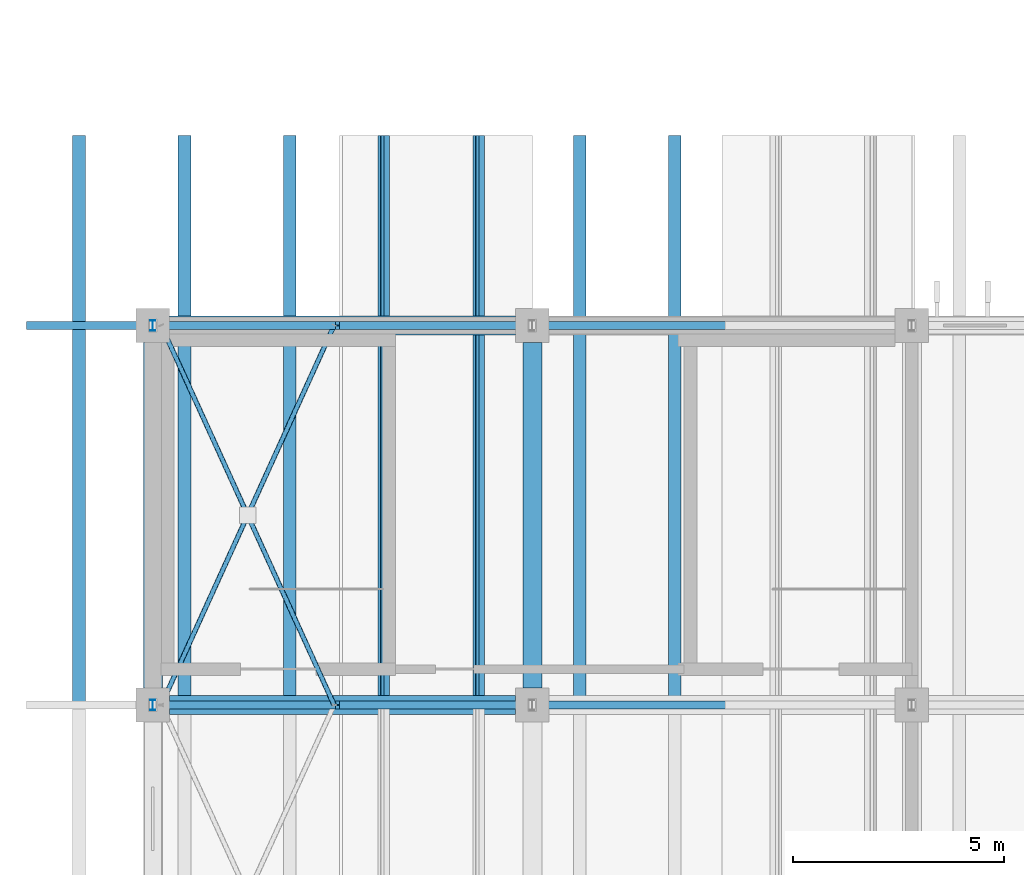
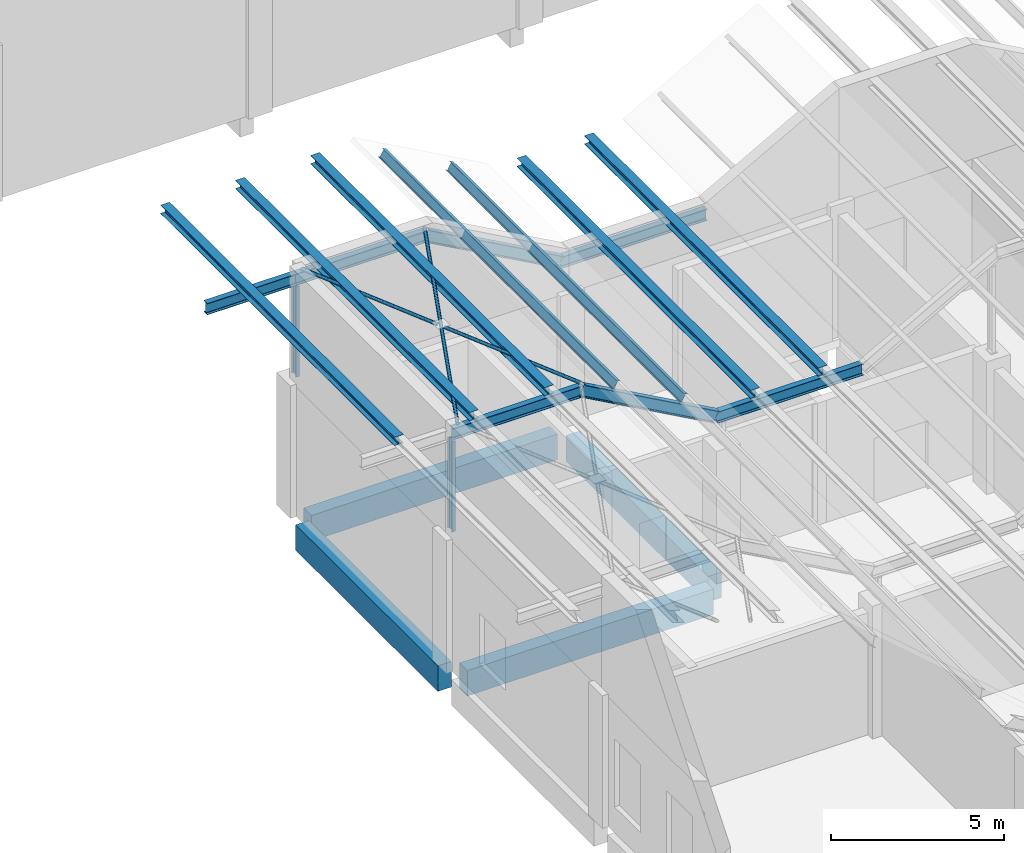
# One storey, part 58 of 437: 19 members, 4 beams.
"""IFC4 building model written with IfcOpenShell, lengths in metres."""

from ifc_helpers import new_model, si_unit, direction, frame, origin, origin_2d, place, context, subcontext, project, spatial, rectangle, hollow_circle, i_section, extrude, material, material_profile, profile_set, type_object, element, save


model = new_model("IFC4")

# Units and contexts
model_context = context("Model", 3, precision=1e-05, world=origin(), true_north=direction((0.0, 1.0)))
body_context = subcontext(model_context, "Body", "Model", "MODEL_VIEW")
ifc_project = project(units=[si_unit("LENGTHUNIT", "METRE"), si_unit("AREAUNIT", "SQUARE_METRE"), si_unit("VOLUMEUNIT", "CUBIC_METRE"), si_unit("PLANEANGLEUNIT", "RADIAN"), si_unit("MASSUNIT", "GRAM", prefix="KILO")], contexts=[model_context])

# Site, building, storey
site_placement = place(None, origin())
site = spatial("IfcSite", under=ifc_project, at=site_placement, CompositionType="ELEMENT")
building_placement = place(site_placement, origin())
building = spatial("IfcBuilding", under=site, at=building_placement, Name="Opaline Strait Convention Centre", CompositionType="ELEMENT")
storey_placement = place(building_placement, frame((0.0, 0.0, 11.5)))
storey = spatial("IfcBuildingStorey", under=building, at=storey_placement, Name="L02", CompositionType="ELEMENT", Elevation=11.5)

# Members
ifc_material_1 = material(Name="Steel Q355B", Category="steel")
ifc_material_profile_1 = material_profile(ifc_material_1, i_section(OverallWidth=0.300048828125, OverallDepth=0.300048828125, WebThickness=0.010009765625, FlangeThickness=0.014892578125, FilletRadius=0.012939453125, at=origin_2d()), Name="HW 300x300x10x15")
ifc_profile_set_1 = profile_set([ifc_material_profile_1], Name="Steel Q355B")
member_type_1 = type_object("IfcMemberType", Name="Crest purlin HW 300x300x10x15", PredefinedType="PURLIN", material=ifc_profile_set_1)
for number, where, z_axis, x_axis, name in (
    (1, (7.25, 90.0, 8.449951171875), (0.0, 1.0, 0.0), (-1.0, 0.0, 0.0), "RU1 purlin facet 1 line 1"),
    (2, (9.75, 90.0, 8.449951171875), (0.0, 1.0, 0.0), (-1.0, 0.0, 0.0), "RU1 purlin facet 1 line 2"),
    (3, (12.25, 90.0, 8.449951171875), (0.0, 1.0, 0.0), (-1.0, 0.0, 0.0), "RU1 purlin facet 1 line 3"),
    (4, (19.125, 90.0, 5.949951171875), (0.0, 1.0, 0.0), (-1.0, 0.0, 0.0), "RU1 purlin facet 3 line 1"),
    (5, (21.375, 90.0, 5.949951171875), (0.0, 1.0, 0.0), (-1.0, 0.0, 0.0), "RU1 purlin facet 3 line 2"),
):
    element("IfcMember", number, at=place(storey_placement, frame(where, z_axis=z_axis, x_axis=x_axis)), inside=storey, type_object=member_type_1, Name=name, PredefinedType="PURLIN", context=body_context, shape_type="SweptSolid", body=[
        extrude(i_section(OverallWidth=0.300048828125, OverallDepth=0.300048828125, WebThickness=0.010009765625, FlangeThickness=0.014892578125, FilletRadius=0.012939453125, at=origin_2d()), origin(), (0.0, 0.0, 1.0), 13.5),
    ])

# Beams
ifc_material_2 = material(Name="Concrete C35", Category="concrete")
ifc_material_profile_2 = material_profile(ifc_material_2, rectangle(XDim=0.449951171875, YDim=0.89990234375, at=origin_2d()), Name="RC 450x900")
ifc_profile_set_2 = profile_set([ifc_material_profile_2], Name="Concrete C35")
beam_type = type_object("IfcBeamType", Name="RC beam 450x900 C35", PredefinedType="BEAM", material=ifc_profile_set_2)
for number, where, z_axis, x_axis, name in (
    (6, (9.39990234375, 90.0, -0.72998046875), (1.0, 0.0, 0.0), (0.0, 1.0, 0.0), "XB1 L02 9/90-18/90"),
    (7, (9.39990234375, 99.0, -0.72998046875), (1.0, 0.0, 0.0), (0.0, 1.0, 0.0), "XB1 L02 9/99-18/99"),
    (8, (9.0, 90.39990234375, -0.72998046875), (0.0, 1.0, 0.0), (-1.0, 0.0, 0.0), "XB1 L02 9/90-9/99"),
    (9, (18.0, 90.39990234375, -0.72998046875), (0.0, 1.0, 0.0), (-1.0, 0.0, 0.0), "XB1 L02 18/90-18/99"),
):
    element("IfcBeam", number, at=place(storey_placement, frame(where, z_axis=z_axis, x_axis=x_axis)), inside=storey, type_object=beam_type, Name=name, PredefinedType="BEAM", context=body_context, shape_type="SweptSolid", body=[
        extrude(rectangle(XDim=0.449951171875, YDim=0.89990234375, at=origin_2d()), origin(), (0.0, 0.0, 1.0), 8.2001953125),
    ])

# Members
ifc_material_profile_3 = material_profile(ifc_material_1, hollow_circle(Radius=0.056884765625, WallThickness=0.006103515625, at=origin_2d()), Name="CHS 114x6")
ifc_profile_set_3 = profile_set([ifc_material_profile_3], Name="Steel Q355B")
member_type_2 = type_object("IfcMemberType", Name="Roof bracing CHS 114x6", PredefinedType="BRACE", material=ifc_profile_set_3)
member_1_placement = place(storey_placement, frame((9.199951171875, 90.0, 8.35693359375), z_axis=(0.414572789354, 0.910016154981, 0.0), x_axis=(-0.910016154981, 0.414572789354, 0.0)))
element("IfcMember", 10, at=member_1_placement, inside=storey, type_object=member_type_2, Name="RX1 roof brace bay 10 at 9", PredefinedType="BRACE", context=body_context, shape_type="SweptSolid", body=[
    extrude(hollow_circle(Radius=0.056884765625, WallThickness=0.006103515625, at=origin_2d()), origin(), (0.0, 0.0, 1.0), 9.889892578125),
])
for number, where, z_axis, x_axis, name in (
    (11, (13.300048828125, 90.0, 8.35693359375), (-0.414570207506, 0.91001733118, 0.0), (-0.91001733118, -0.414570207506, 0.0), "RX1 roof brace bay 10 at 9"),
    (12, (11.197265625, 94.61572265625, 8.35693359375), (-0.414570207506, 0.91001733118, 0.0), (-0.91001733118, -0.414570207506, 0.0), "RX1 roof brace bay 10 at 9"),
):
    element("IfcMember", number, at=place(storey_placement, frame(where, z_axis=z_axis, x_axis=x_axis)), inside=storey, type_object=member_type_2, Name=name, PredefinedType="BRACE", context=body_context, shape_type="SweptSolid", body=[
        extrude(hollow_circle(Radius=0.056884765625, WallThickness=0.006103515625, at=origin_2d()), origin(), (0.0, 0.0, 1.0), 4.81787109375),
    ])
ifc_material_profile_4 = material_profile(ifc_material_1, i_section(OverallWidth=0.125, OverallDepth=0.25, WebThickness=0.006103515625, FlangeThickness=0.009033203125, FilletRadius=0.008056640625, at=origin_2d()), Name="HN 250x125x6x9")
ifc_profile_set_4 = profile_set([ifc_material_profile_4], Name="Steel Q355B")
member_type_3 = type_object("IfcMemberType", Name="Roof post HN 250x125x6x9", PredefinedType="STRUT", material=ifc_profile_set_4)
for number, where, z_axis, x_axis, name in (
    (13, (9.0, 90.0, 4.68994140625), (0.0, 0.0, 1.0), (1.0, 0.0, 0.0), "RP1 roof post at 9/90"),
    (14, (9.0, 99.0, 4.68994140625), (0.0, 0.0, 1.0), (1.0, 0.0, 0.0), "RP1 roof post at 9/99"),
):
    element("IfcMember", number, at=place(storey_placement, frame(where, z_axis=z_axis, x_axis=x_axis)), inside=storey, type_object=member_type_3, Name=name, PredefinedType="STRUT", context=body_context, shape_type="SweptSolid", body=[
        extrude(i_section(OverallWidth=0.125, OverallDepth=0.25, WebThickness=0.006103515625, FlangeThickness=0.009033203125, FilletRadius=0.008056640625, at=origin_2d()), origin(), (0.0, 0.0, 1.0), 3.195068359375),
    ])
ifc_material_profile_5 = material_profile(ifc_material_1, i_section(OverallWidth=0.14990234375, OverallDepth=0.300048828125, WebThickness=0.006591796875, FlangeThickness=0.009033203125, FilletRadius=0.012939453125, at=origin_2d()), Name="HN 300x150x6.5x9")
ifc_profile_set_5 = profile_set([ifc_material_profile_5], Name="Steel Q355B")
member_type_4 = type_object("IfcMemberType", Name="Roof purlin HN 300x150x6.5x9", PredefinedType="PURLIN", material=ifc_profile_set_5)
for number, where, z_axis, x_axis, name in (
    (15, (14.479248046875, 90.0, 7.86279296875), (0.0, 1.0, 0.0), (-0.874157310866, 0.0, 0.485642868639), "RU1 purlin facet 2 line 1"),
    (16, (16.729248046875, 90.0, 6.61279296875), (0.0, 1.0, 0.0), (-0.874157310866, 0.0, 0.485642868639), "RU1 purlin facet 2 line 2"),
):
    element("IfcMember", number, at=place(storey_placement, frame(where, z_axis=z_axis, x_axis=x_axis)), inside=storey, type_object=member_type_4, Name=name, PredefinedType="PURLIN", context=body_context, shape_type="SweptSolid", body=[
        extrude(i_section(OverallWidth=0.14990234375, OverallDepth=0.300048828125, WebThickness=0.006591796875, FlangeThickness=0.009033203125, FilletRadius=0.012939453125, at=origin_2d()), origin(), (0.0, 0.0, 1.0), 13.5),
    ])
ifc_material_profile_6 = material_profile(ifc_material_1, i_section(OverallWidth=0.199951171875, OverallDepth=0.39990234375, WebThickness=0.008056640625, FlangeThickness=0.012939453125, FilletRadius=0.012939453125, at=origin_2d()), Name="HN 400x200x8x13")
ifc_profile_set_6 = profile_set([ifc_material_profile_6], Name="Steel Q355B")
member_type_5 = type_object("IfcMemberType", Name="Roof rafter HN 400x200x8x13", PredefinedType="RAFTER", material=ifc_profile_set_6)
member_2_placement = place(storey_placement, frame((9.0, 90.0, 8.10009765625), z_axis=(1.0, 0.0, 0.0), x_axis=(0.0, 1.0, 0.0)))
element("IfcMember", 17, at=member_2_placement, inside=storey, type_object=member_type_5, Name="RR1 rafter line 10 facet 2", PredefinedType="RAFTER", context=body_context, shape_type="SweptSolid", body=[
    extrude(i_section(OverallWidth=0.199951171875, OverallDepth=0.39990234375, WebThickness=0.008056640625, FlangeThickness=0.012939453125, FilletRadius=0.012939453125, at=origin_2d()), origin(), (0.0, 0.0, 1.0), 4.33154296875),
])
member_3_placement = place(storey_placement, frame((13.33154296875, 90.0, 8.10009765625), z_axis=(0.874157276122, 0.0, -0.485642931179), x_axis=(0.0, 1.0, 0.0)))
element("IfcMember", 18, at=member_3_placement, inside=storey, type_object=member_type_5, Name="RR1 rafter line 10 facet 3", PredefinedType="RAFTER", context=body_context, shape_type="SweptSolid", body=[
    extrude(i_section(OverallWidth=0.199951171875, OverallDepth=0.39990234375, WebThickness=0.008056640625, FlangeThickness=0.012939453125, FilletRadius=0.012939453125, at=origin_2d()), origin(), (0.0, 0.0, 1.0), 5.147705078125),
])
member_4_placement = place(storey_placement, frame((17.83154296875, 90.0, 5.60009765625), z_axis=(1.0, 0.0, 0.0), x_axis=(0.0, 1.0, 0.0)))
element("IfcMember", 19, at=member_4_placement, inside=storey, type_object=member_type_5, Name="RR1 rafter line 10 facet 4", PredefinedType="RAFTER", context=body_context, shape_type="SweptSolid", body=[
    extrude(i_section(OverallWidth=0.199951171875, OverallDepth=0.39990234375, WebThickness=0.008056640625, FlangeThickness=0.012939453125, FilletRadius=0.012939453125, at=origin_2d()), origin(), (0.0, 0.0, 1.0), 4.8369140625),
])
member_5_placement = place(storey_placement, frame((6.0, 99.0, 8.10009765625), z_axis=(1.0, 0.0, 0.0), x_axis=(0.0, 1.0, 0.0)))
element("IfcMember", 20, at=member_5_placement, inside=storey, type_object=member_type_5, Name="RR1 rafter line 11 facet 1", PredefinedType="RAFTER", context=body_context, shape_type="SweptSolid", body=[
    extrude(i_section(OverallWidth=0.199951171875, OverallDepth=0.39990234375, WebThickness=0.008056640625, FlangeThickness=0.012939453125, FilletRadius=0.012939453125, at=origin_2d()), origin(), (0.0, 0.0, 1.0), 3.0),
])
member_6_placement = place(storey_placement, frame((9.0, 99.0, 8.10009765625), z_axis=(1.0, 0.0, 0.0), x_axis=(0.0, 1.0, 0.0)))
element("IfcMember", 21, at=member_6_placement, inside=storey, type_object=member_type_5, Name="RR1 rafter line 11 facet 2", PredefinedType="RAFTER", context=body_context, shape_type="SweptSolid", body=[
    extrude(i_section(OverallWidth=0.199951171875, OverallDepth=0.39990234375, WebThickness=0.008056640625, FlangeThickness=0.012939453125, FilletRadius=0.012939453125, at=origin_2d()), origin(), (0.0, 0.0, 1.0), 4.33154296875),
])
member_7_placement = place(storey_placement, frame((13.33154296875, 99.0, 8.10009765625), z_axis=(0.874157276122, 0.0, -0.485642931179), x_axis=(0.0, 1.0, 0.0)))
element("IfcMember", 22, at=member_7_placement, inside=storey, type_object=member_type_5, Name="RR1 rafter line 11 facet 3", PredefinedType="RAFTER", context=body_context, shape_type="SweptSolid", body=[
    extrude(i_section(OverallWidth=0.199951171875, OverallDepth=0.39990234375, WebThickness=0.008056640625, FlangeThickness=0.012939453125, FilletRadius=0.012939453125, at=origin_2d()), origin(), (0.0, 0.0, 1.0), 5.147705078125),
])
member_8_placement = place(storey_placement, frame((17.83154296875, 99.0, 5.60009765625), z_axis=(1.0, 0.0, 0.0), x_axis=(0.0, 1.0, 0.0)))
element("IfcMember", 23, at=member_8_placement, inside=storey, type_object=member_type_5, Name="RR1 rafter line 11 facet 4", PredefinedType="RAFTER", context=body_context, shape_type="SweptSolid", body=[
    extrude(i_section(OverallWidth=0.199951171875, OverallDepth=0.39990234375, WebThickness=0.008056640625, FlangeThickness=0.012939453125, FilletRadius=0.012939453125, at=origin_2d()), origin(), (0.0, 0.0, 1.0), 4.8369140625),
])

save(model, "model.ifc")
